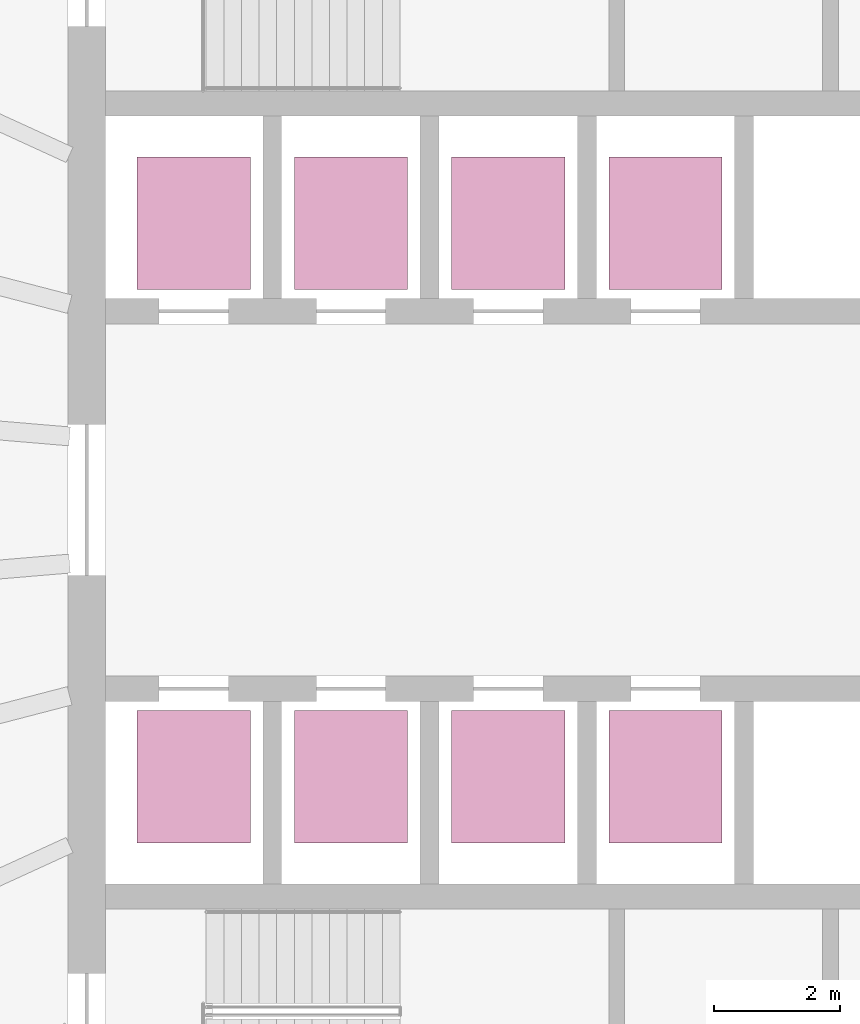
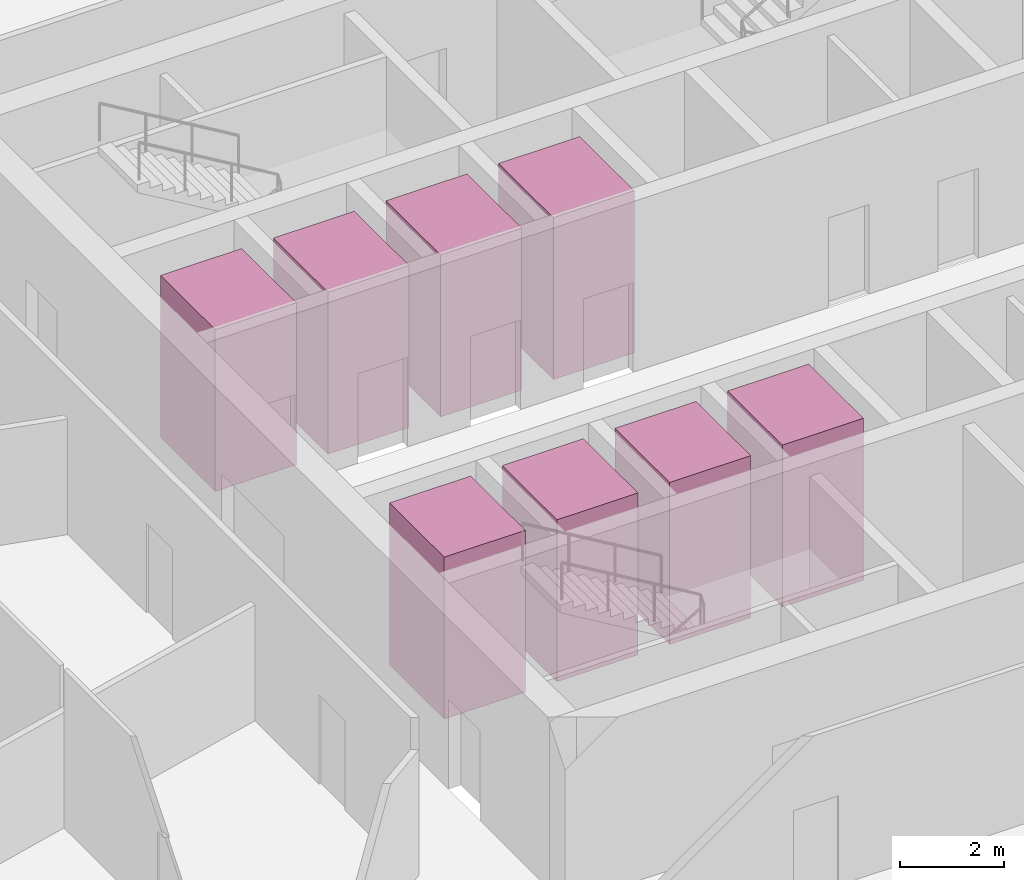
# One storey, part 10 of 10: 8 transport elements.
"""IFC4 building model written with IfcOpenShell, lengths in metres."""

from ifc_helpers import new_model, si_unit, direction, frame, origin, origin_2d, place, context, subcontext, project, spatial, rectangle, extrude, material, type_object, element, save


model = new_model("IFC4")

# Units and contexts
model_context = context("Model", 3, precision=1e-05, world=origin(), true_north=direction((0.0, 1.0)))
body_context = subcontext(model_context, "Body", "Model", "MODEL_VIEW")
ifc_project = project(units=[si_unit("LENGTHUNIT", "METRE"), si_unit("AREAUNIT", "SQUARE_METRE"), si_unit("VOLUMEUNIT", "CUBIC_METRE"), si_unit("PLANEANGLEUNIT", "RADIAN"), si_unit("MASSUNIT", "GRAM", prefix="KILO")], contexts=[model_context])

# Site, building, storey
site_placement = place(None, origin())
site = spatial("IfcSite", under=ifc_project, at=site_placement, CompositionType="ELEMENT")
building_placement = place(site_placement, origin())
building = spatial("IfcBuilding", under=site, at=building_placement, Name="Halqa Exchange Tower", CompositionType="ELEMENT")
storey_placement = place(building_placement, frame((0.0, 0.0, 194.89990234375)))
storey = spatial("IfcBuildingStorey", under=building, at=storey_placement, Name="L44", CompositionType="ELEMENT", Elevation=194.89990234375)

# Transport elements
ifc_material = material(Name="Stainless steel", Category="steel")
transport_element_type_1 = type_object("IfcTransportElementType", Name="High-rise passenger lift 1800 x 2100", PredefinedType="ELEVATOR", material=ifc_material)
for number, where, z_axis, x_axis, name in (
    (1, (-10.0, 4.39990234375, 0.0), (0.0, 0.0, 1.0), (1.0, 0.0, 0.0), "High-rise passenger lift HR1"),
    (2, (-7.5, 4.39990234375, 0.0), (0.0, 0.0, 1.0), (1.0, 0.0, 0.0), "High-rise passenger lift HR2"),
    (3, (-10.0, -4.39990234375, 0.0), (0.0, 0.0, 1.0), (1.0, 0.0, 0.0), "High-rise passenger lift HR3"),
    (4, (-7.5, -4.39990234375, 0.0), (0.0, 0.0, 1.0), (1.0, 0.0, 0.0), "High-rise passenger lift HR4"),
):
    element("IfcTransportElement", number, at=place(storey_placement, frame(where, z_axis=z_axis, x_axis=x_axis)), inside=storey, type_object=transport_element_type_1, Name=name, PredefinedType="ELEVATOR", context=body_context, shape_type="SweptSolid", body=[
        extrude(rectangle(XDim=1.800048828125, YDim=2.10009765625, at=origin_2d()), origin(), (0.0, 0.0, 1.0), 3.800048828125),
    ])
transport_element_type_2 = type_object("IfcTransportElementType", Name="Mid-rise passenger lift 1800 x 2100", PredefinedType="ELEVATOR", material=ifc_material)
for number, where, z_axis, x_axis, name in (
    (5, (-5.0, 4.39990234375, 0.0), (0.0, 0.0, 1.0), (1.0, 0.0, 0.0), "Mid-rise passenger lift MR1"),
    (6, (-2.5, 4.39990234375, 0.0), (0.0, 0.0, 1.0), (1.0, 0.0, 0.0), "Mid-rise passenger lift MR2"),
    (7, (-5.0, -4.39990234375, 0.0), (0.0, 0.0, 1.0), (1.0, 0.0, 0.0), "Mid-rise passenger lift MR3"),
    (8, (-2.5, -4.39990234375, 0.0), (0.0, 0.0, 1.0), (1.0, 0.0, 0.0), "Mid-rise passenger lift MR4"),
):
    element("IfcTransportElement", number, at=place(storey_placement, frame(where, z_axis=z_axis, x_axis=x_axis)), inside=storey, type_object=transport_element_type_2, Name=name, PredefinedType="ELEVATOR", context=body_context, shape_type="SweptSolid", body=[
        extrude(rectangle(XDim=1.800048828125, YDim=2.10009765625, at=origin_2d()), origin(), (0.0, 0.0, 1.0), 3.800048828125),
    ])

save(model, "model.ifc")
